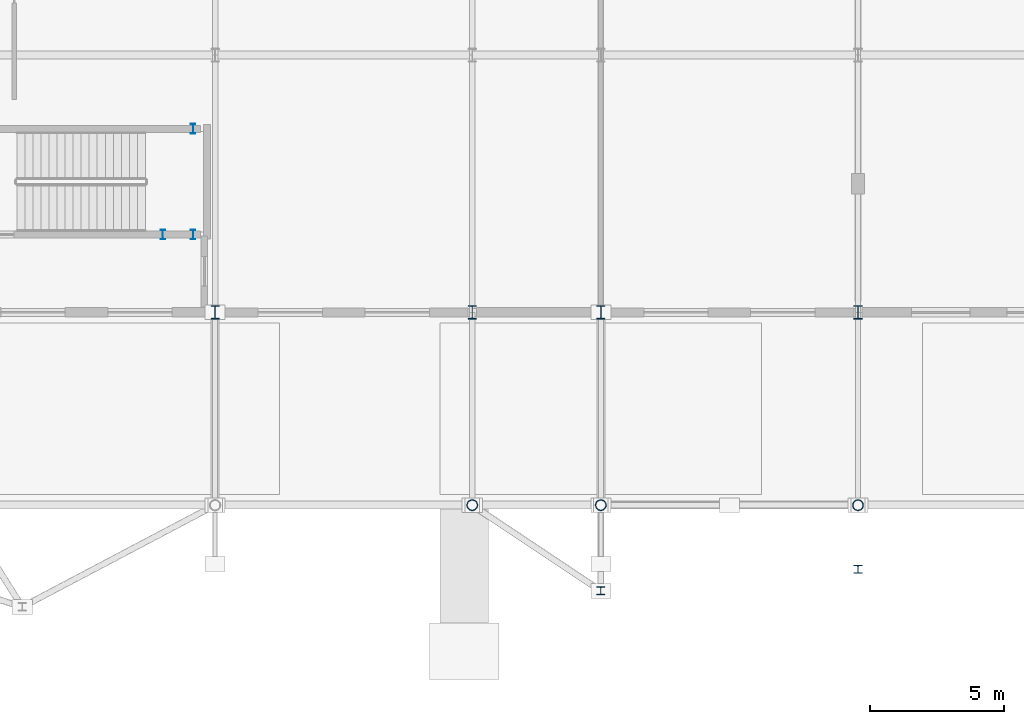
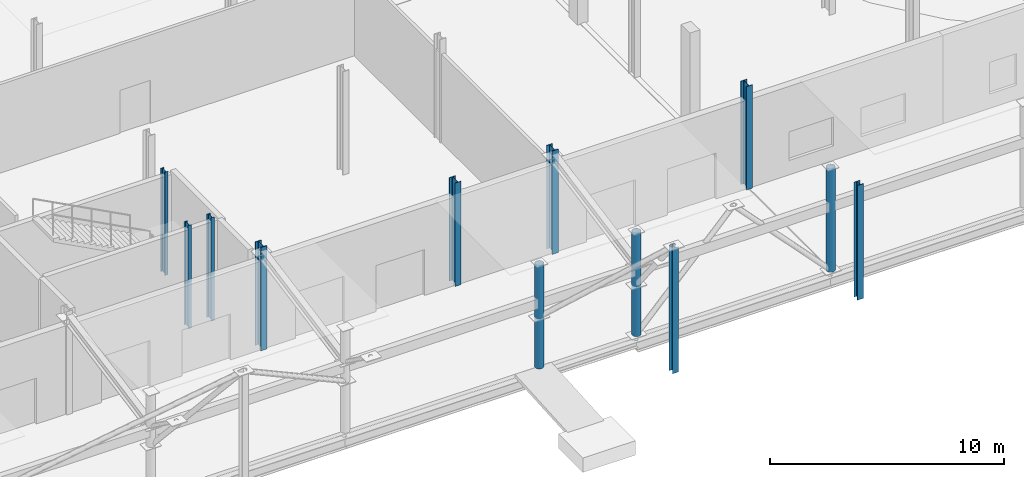
# One storey, part 6 of 84: 12 columns.
"""IFC4 building model written with IfcOpenShell, lengths in metres."""

import ifcopenshell
import ifcopenshell.guid

model = None  # the IFC model being written
_history = None  # IfcOwnerHistory: only IFC2X3 demands one
_inside = {}  # id of a spatial element -> (the spatial element, [elements in it])
_under = {}  # id of a project, library or spatial element -> (it, [spatial elements below it])
_declared = {}  # id of a project -> (the project, [libraries it declares])
_typed = {}  # id of a type object -> (the type object, [elements of that type])
_made_of = {}  # id of a material, layer set ... -> (it, [elements and type objects made of it])


def new_model(schema):
    """Start an empty IFC model of exactly this schema.

    Asked for "IFC4X3", IfcOpenShell would pick the latest addendum, in which some entities
    have other attributes; the version numbers below select the first issue.
    IFC2X3 requires an IfcOwnerHistory on every rooted entity: one is made here for all.
    """
    global model, _history
    if schema == "IFC4X3":
        model = ifcopenshell.file(schema_version=(4, 3, 0, 0))
    else:
        model = ifcopenshell.file(schema=schema)
    _inside.clear()
    _under.clear()
    _declared.clear()
    _typed.clear()
    _made_of.clear()
    _history = None
    if model.schema == "IFC2X3":
        org = make("IfcOrganization", Name="unknown")
        user = make(
            "IfcPersonAndOrganization",
            ThePerson=make("IfcPerson", FamilyName="unknown"),
            TheOrganization=org,
        )
        app = make(
            "IfcApplication",
            ApplicationDeveloper=org,
            Version="unknown",
            ApplicationFullName="unknown",
            ApplicationIdentifier="unknown",
        )
        _history = make(
            "IfcOwnerHistory",
            OwningUser=user,
            OwningApplication=app,
            ChangeAction="ADDED",
            CreationDate=0,
        )
    return model


def make(cls, **values):
    """One entity of the class cls with the attributes given. An attribute that is None is left unset."""
    return model.create_entity(
        cls, **{name: value for name, value in values.items() if value is not None}
    )


def rooted(cls, **values):
    """An entity with a GlobalId (a new one), such as an element, a storey or a relation."""
    return make(cls, GlobalId=ifcopenshell.guid.new(), OwnerHistory=_history, **values)


def si_unit(unit_type, name, prefix=None):
    """IfcSIUnit, for example si_unit("LENGTHUNIT", "METRE", prefix="MILLI")."""
    return make("IfcSIUnit", UnitType=unit_type, Prefix=prefix, Name=name)


def assignment(units):
    """IfcUnitAssignment: the units of a project."""
    return None if units is None else make("IfcUnitAssignment", Units=units)


def point(xyz):
    """IfcCartesianPoint."""
    return None if xyz is None else make("IfcCartesianPoint", Coordinates=xyz)


def direction(xyz):
    """IfcDirection."""
    return None if xyz is None else make("IfcDirection", DirectionRatios=xyz)


def frame(location, z_axis=None, x_axis=None):
    """IfcAxis2Placement3D, a coordinate frame: its origin and axes. An axis left out is left unset."""
    return make(
        "IfcAxis2Placement3D",
        Location=point(location),
        Axis=direction(z_axis),
        RefDirection=direction(x_axis),
    )


def frame_2d(location, x_axis=None):
    """IfcAxis2Placement2D, a coordinate frame in the plane: its origin and x axis."""
    return make(
        "IfcAxis2Placement2D", Location=point(location), RefDirection=direction(x_axis)
    )


def origin():
    """The frame at (0, 0, 0) with its axes left unset."""
    return frame((0.0, 0.0, 0.0))


def origin_2d():
    """The frame at (0, 0) in the plane with its x axis left unset."""
    return frame_2d((0.0, 0.0))


def place(relative_to, where):
    """IfcLocalPlacement: puts the frame where relative to a parent placement (None: the world)."""
    return make(
        "IfcLocalPlacement", PlacementRelTo=relative_to, RelativePlacement=where
    )


def context(
    kind, dimensions, precision=None, world=None, true_north=None, identifier=None
):
    """IfcGeometricRepresentationContext, for example the 3D "Model" context."""
    return make(
        "IfcGeometricRepresentationContext",
        ContextIdentifier=identifier,
        ContextType=kind,
        CoordinateSpaceDimension=dimensions,
        Precision=precision,
        WorldCoordinateSystem=world,
        TrueNorth=true_north,
    )


def subcontext(parent, identifier, kind, view, scale=None):
    """IfcGeometricRepresentationSubContext, for example "Body" below "Model"."""
    return make(
        "IfcGeometricRepresentationSubContext",
        ContextIdentifier=identifier,
        ContextType=kind,
        ParentContext=parent,
        TargetScale=scale,
        TargetView=view,
    )


def project(units=None, contexts=None):
    """IfcProject with its units and contexts."""
    return rooted(
        "IfcProject",
        Name="project",
        RepresentationContexts=contexts,
        UnitsInContext=assignment(units),
    )


def spatial(cls, under=None, at=None, **own):
    """A site, building, storey or space (cls), placed at a placement, below another one or the project."""
    s = rooted(cls, ObjectPlacement=at, **own)
    if under is not None:
        _under.setdefault(under.id(), (under, []))[1].append(s)
    return s


def profile(cls, at=None, kind="AREA", **sizes):
    """A parametric profile (cls). Its sizes go by their IFC names, for example OverallWidth=200.0."""
    return make(cls, ProfileType=kind, Position=at, **sizes)


def hollow_circle(**sizes):
    """IfcCircleHollowProfileDef."""
    return profile("IfcCircleHollowProfileDef", **sizes)


def i_section(**sizes):
    """IfcIShapeProfileDef."""
    return profile("IfcIShapeProfileDef", **sizes)


def extrude(swept, where, along, depth):
    """IfcExtrudedAreaSolid: the profile swept, set in the frame where, extruded along a direction by depth."""
    return make(
        "IfcExtrudedAreaSolid",
        SweptArea=swept,
        Position=where,
        ExtrudedDirection=direction(along),
        Depth=depth,
    )


def shape(context_of_items, identifier, shape_type, items):
    """IfcShapeRepresentation: the items that make up one representation, for example the "Body"."""
    return make(
        "IfcShapeRepresentation",
        ContextOfItems=context_of_items,
        RepresentationIdentifier=identifier,
        RepresentationType=shape_type,
        Items=items,
    )


def material(Name=None, Category=None):
    """IfcMaterial."""
    return make("IfcMaterial", Name=Name, Category=Category)


def material_profile(
    of_material, cross_section, Name=None, Category=None, Priority=None
):
    """IfcMaterialProfile: a cross section and its material."""
    return make(
        "IfcMaterialProfile",
        Name=Name,
        Material=of_material,
        Profile=cross_section,
        Priority=Priority,
        Category=Category,
    )


def profile_set(profiles, Name=None, composite=None):
    """IfcMaterialProfileSet."""
    return make(
        "IfcMaterialProfileSet",
        Name=Name,
        MaterialProfiles=profiles,
        CompositeProfile=composite,
    )


def made_of(thing, what):
    """Note that an element or type object is made of a material, layer set ...; save() writes the relation."""
    if what is not None:
        _made_of.setdefault(what.id(), (what, []))[1].append(thing)
    return thing


def type_object(cls, material=None, **own):
    """A type object (cls), such as IfcWallType, which elements share."""
    return made_of(rooted(cls, **own), material)


def element(
    cls,
    number,
    at=None,
    inside=None,
    cuts=None,
    type_object=None,
    material=None,
    context=None,
    identifier="Body",
    shape_type=None,
    held_by="IfcProductDefinitionShape",
    body=None,
    shapes=None,
    **own,
):
    """One element of the class cls, such as IfcWall. Its Tag is "e" and its number.

    at: its placement. inside: the storey or other place that contains it. cuts: it is an
    opening in that element (IfcRelVoidsElement). A single representation is given by context,
    identifier, shape_type and body (its items); several are given by shapes. held_by: the class
    of the entity that holds the representations. save() writes the other relations.
    """
    e = rooted(cls, Tag="e%d" % number, ObjectPlacement=at, **own)
    if body is not None:
        shapes = [shape(context, identifier, shape_type, body)]
    if shapes is not None:
        e.Representation = make(held_by, Representations=shapes)
    if inside is not None:
        _inside.setdefault(inside.id(), (inside, []))[1].append(e)
    if cuts is not None:
        rooted(
            "IfcRelVoidsElement", RelatingBuildingElement=cuts, RelatedOpeningElement=e
        )
    if type_object is not None:
        _typed.setdefault(type_object.id(), (type_object, []))[1].append(e)
    return made_of(e, material)


def aggregate(whole, parts):
    """IfcRelAggregates: a whole, such as a stair, and the parts it consists of."""
    return rooted("IfcRelAggregates", RelatingObject=whole, RelatedObjects=parts)


def save(model, path):
    """Write the relations noted so far, then the file.

    IfcRelAggregates (storeys below a building ...), IfcRelContainedInSpatialStructure (elements
    in a storey), IfcRelDefinesByType, IfcRelAssociatesMaterial and IfcRelDeclares: one each for
    every whole, place, type object, material and project.
    """
    for whole, parts in _under.values():
        aggregate(whole, parts)
    for where, things in _inside.values():
        rooted(
            "IfcRelContainedInSpatialStructure",
            RelatedElements=things,
            RelatingStructure=where,
        )
    for kind, things in _typed.values():
        rooted("IfcRelDefinesByType", RelatedObjects=things, RelatingType=kind)
    for what, things in _made_of.values():
        rooted("IfcRelAssociatesMaterial", RelatedObjects=things, RelatingMaterial=what)
    for by, libraries in _declared.values():
        rooted("IfcRelDeclares", RelatingContext=by, RelatedDefinitions=libraries)
    model.write(path)


model = new_model("IFC4")

# Units and contexts
model_context = context("Model", 3, precision=1e-05, world=origin(), true_north=direction((0.0, 1.0)))
body_context = subcontext(model_context, "Body", "Model", "MODEL_VIEW")
ifc_project = project(units=[si_unit("LENGTHUNIT", "METRE"), si_unit("AREAUNIT", "SQUARE_METRE"), si_unit("VOLUMEUNIT", "CUBIC_METRE"), si_unit("PLANEANGLEUNIT", "RADIAN"), si_unit("MASSUNIT", "GRAM", prefix="KILO")], contexts=[model_context])

# Site, building, storey
site_placement = place(None, origin())
site = spatial("IfcSite", under=ifc_project, at=site_placement, CompositionType="ELEMENT")
building_placement = place(site_placement, origin())
building = spatial("IfcBuilding", under=site, at=building_placement, Name="Zevrakil Square Congress Hotel", CompositionType="ELEMENT")
storey_placement = place(building_placement, origin())
storey = spatial("IfcBuildingStorey", under=building, at=storey_placement, Name="L01", CompositionType="ELEMENT", Elevation=0.0)

# Columns
ifc_material_1 = material(Name="Steel S355", Category="steel")
ifc_material_profile_1 = material_profile(ifc_material_1, hollow_circle(Radius=0.203125, WallThickness=0.02001953125, at=origin_2d()), Name="CHS 406.4x20")
ifc_profile_set_1 = profile_set([ifc_material_profile_1], Name="Steel S355")
column_type_1 = type_object("IfcColumnType", Name="COL-CHS406", PredefinedType="COLUMN", material=ifc_profile_set_1)
for number, where, z_axis, x_axis, name in (
    (1, (103.199951171875, 0.0, 0.0), (0.0, 0.0, 1.0), (1.0, 0.0, 0.0), "L01 column C-149"),
    (2, (108.0, 0.0, 0.0), (0.0, 0.0, 1.0), (1.0, 0.0, 0.0), "L01 column C-163"),
    (3, (117.60009765625, 0.0, 0.0), (0.0, 0.0, 1.0), (1.0, 0.0, 0.0), "L01 column C-177"),
):
    element("IfcColumn", number, at=place(storey_placement, frame(where, z_axis=z_axis, x_axis=x_axis)), inside=storey, type_object=column_type_1, Name=name, PredefinedType="COLUMN", context=body_context, shape_type="SweptSolid", body=[
        extrude(hollow_circle(Radius=0.203125, WallThickness=0.02001953125, at=origin_2d()), origin(), (0.0, 0.0, 1.0), 5.39990234375),
    ])
ifc_material_2 = material(Name="Steel S355", Category="steel")
ifc_material_profile_2 = material_profile(ifc_material_2, i_section(OverallWidth=0.300048828125, OverallDepth=0.300048828125, WebThickness=0.010986328125, FlangeThickness=0.01904296875, FilletRadius=0.027099609375, at=origin_2d()), Name="HEB 300")
ifc_profile_set_2 = profile_set([ifc_material_profile_2], Name="Steel S355")
column_type_2 = type_object("IfcColumnType", Name="COL-HEB300", PredefinedType="COLUMN", material=ifc_profile_set_2)
column_1_placement = place(storey_placement, frame((108.0, -3.199951171875, 0.0), z_axis=(0.0, 0.0, 1.0), x_axis=(1.0, 0.0, 0.0)))
element("IfcColumn", 4, at=column_1_placement, inside=storey, type_object=column_type_2, Name="L01 south entrance canopy column CPC-04", PredefinedType="COLUMN", context=body_context, shape_type="SweptSolid", body=[
    extrude(i_section(OverallWidth=0.300048828125, OverallDepth=0.300048828125, WebThickness=0.010986328125, FlangeThickness=0.01904296875, FilletRadius=0.027099609375, at=origin_2d()), origin(), (0.0, 0.0, 1.0), 6.550048828125),
])
column_2_placement = place(storey_placement, frame((117.60009765625, -2.39990234375, 0.0), z_axis=(0.0, 0.0, 1.0), x_axis=(1.0, 0.0, 0.0)))
element("IfcColumn", 5, at=column_2_placement, inside=storey, type_object=column_type_2, Name="L01 south entrance canopy column CPC-05", PredefinedType="COLUMN", context=body_context, shape_type="SweptSolid", body=[
    extrude(i_section(OverallWidth=0.300048828125, OverallDepth=0.300048828125, WebThickness=0.010986328125, FlangeThickness=0.01904296875, FilletRadius=0.027099609375, at=origin_2d()), origin(), (0.0, 0.0, 1.0), 6.0),
])
ifc_material_3 = material(Name="Steel S355", Category="steel")
ifc_material_profile_3 = material_profile(ifc_material_3, i_section(OverallWidth=0.300048828125, OverallDepth=0.5, WebThickness=0.014404296875, FlangeThickness=0.028076171875, FilletRadius=0.027099609375, at=origin_2d()), Name="HEB 500")
ifc_profile_set_3 = profile_set([ifc_material_profile_3], Name="Steel S355")
column_type_3 = type_object("IfcColumnType", Name="COL-HEB500", PredefinedType="COLUMN", material=ifc_profile_set_3)
for number, where, z_axis, x_axis, name in (
    (6, (93.60009765625, 7.199951171875, 0.0), (0.0, 0.0, 1.0), (1.0, 0.0, 0.0), "L01 column C-138"),
    (7, (103.199951171875, 7.199951171875, 0.0), (0.0, 0.0, 1.0), (1.0, 0.0, 0.0), "L01 column C-150"),
    (8, (108.0, 7.199951171875, 0.0), (0.0, 0.0, 1.0), (1.0, 0.0, 0.0), "L01 column C-164"),
    (9, (117.60009765625, 7.199951171875, 0.0), (0.0, 0.0, 1.0), (1.0, 0.0, 0.0), "L01 column C-178"),
):
    element("IfcColumn", number, at=place(storey_placement, frame(where, z_axis=z_axis, x_axis=x_axis)), inside=storey, type_object=column_type_3, Name=name, PredefinedType="COLUMN", context=body_context, shape_type="SweptSolid", body=[
        extrude(i_section(OverallWidth=0.300048828125, OverallDepth=0.5, WebThickness=0.014404296875, FlangeThickness=0.028076171875, FilletRadius=0.027099609375, at=origin_2d()), origin(), (0.0, 0.0, 1.0), 5.39990234375),
    ])
ifc_material_4 = material(Name="Steel S355", Category="steel")
ifc_material_profile_4 = material_profile(ifc_material_4, i_section(OverallWidth=0.169921875, OverallDepth=0.360107421875, WebThickness=0.008056640625, FlangeThickness=0.0126953125, FilletRadius=0.01806640625, at=origin_2d()), Name="IPE 360")
ifc_profile_set_4 = profile_set([ifc_material_profile_4], Name="Steel S355")
column_type_4 = type_object("IfcColumnType", Name="COL-PILASTER-SHS180", PredefinedType="PILASTER", material=ifc_profile_set_4)
for number, where, z_axis, x_axis, name in (
    (10, (91.64990234375, 10.10009765625, 0.0), (0.0, 0.0, 1.0), (1.0, 0.0, 0.0), "L01 ST15 stair shaft post 1"),
    (11, (92.780029296875, 10.10009765625, 0.0), (0.0, 0.0, 1.0), (1.0, 0.0, 0.0), "L01 ST15 stair shaft post 2"),
    (12, (92.780029296875, 14.050048828125, 0.0), (0.0, 0.0, 1.0), (1.0, 0.0, 0.0), "L01 ST15 stair shaft post 3"),
):
    element("IfcColumn", number, at=place(storey_placement, frame(where, z_axis=z_axis, x_axis=x_axis)), inside=storey, type_object=column_type_4, Name=name, PredefinedType="PILASTER", context=body_context, shape_type="SweptSolid", body=[
        extrude(i_section(OverallWidth=0.169921875, OverallDepth=0.360107421875, WebThickness=0.008056640625, FlangeThickness=0.0126953125, FilletRadius=0.01806640625, at=origin_2d()), origin(), (0.0, 0.0, 1.0), 5.39990234375),
    ])

save(model, "model.ifc")
